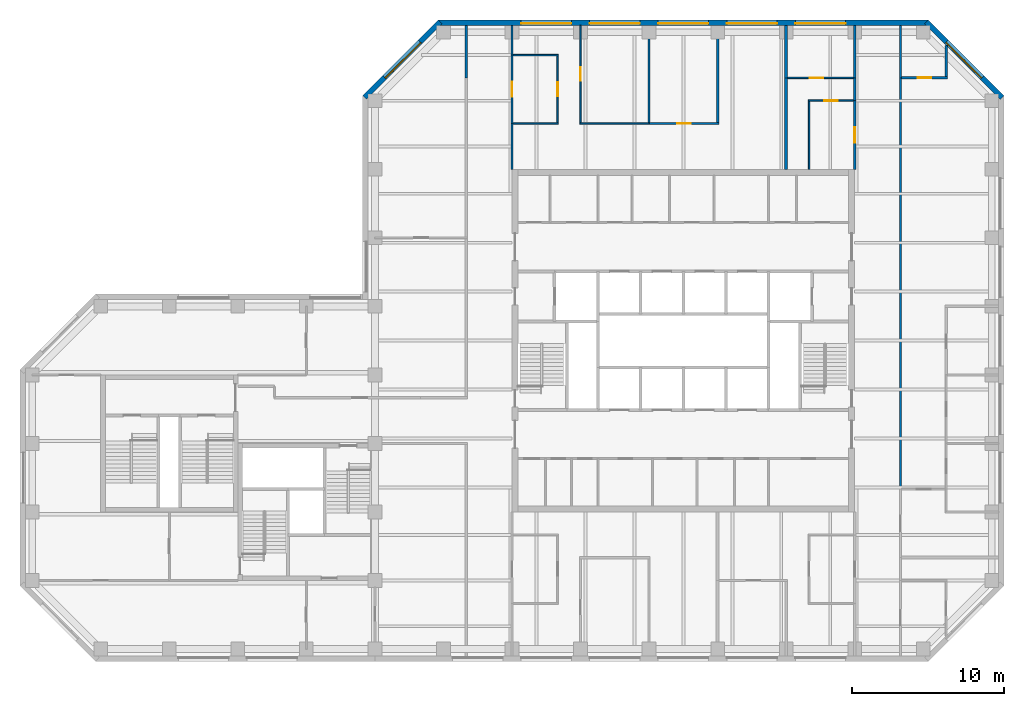
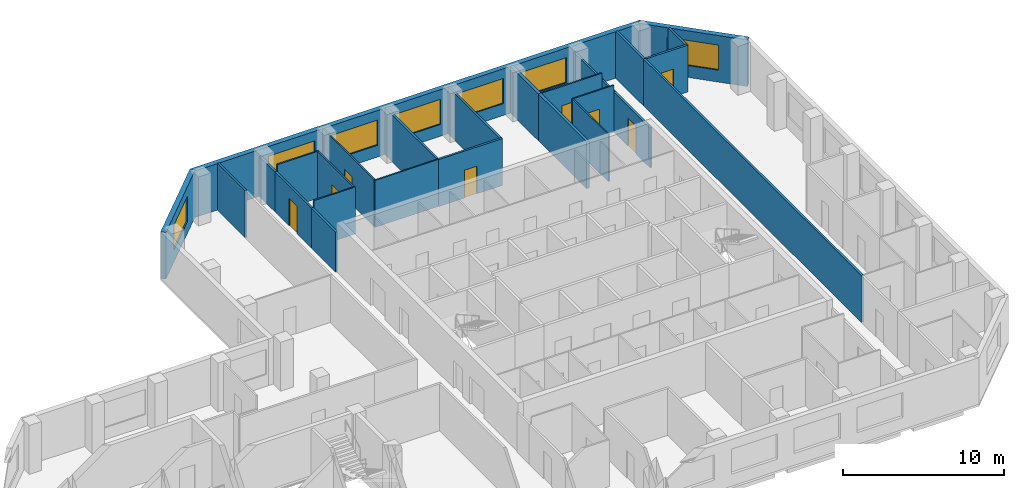
# One storey, part 7 of 9: 27 walls, 8 doors, 7 windows, 15 openings.
"""IFC4 building model written with IfcOpenShell, lengths in metres."""

from ifc_helpers import new_model, si_unit, direction, frame, frame_2d, origin, place, context, subcontext, project, spatial, rectangle, extrude, material, layer, layer_set, constituent, constituent_set, type_object, element, fill, save


model = new_model("IFC4")

# Units and contexts
model_context = context("Model", 3, precision=1e-05, world=origin(), true_north=direction((0.0, 1.0)))
body_context = subcontext(model_context, "Body", "Model", "MODEL_VIEW")
ifc_project = project(units=[si_unit("LENGTHUNIT", "METRE"), si_unit("AREAUNIT", "SQUARE_METRE"), si_unit("VOLUMEUNIT", "CUBIC_METRE"), si_unit("PLANEANGLEUNIT", "RADIAN"), si_unit("MASSUNIT", "GRAM", prefix="KILO")], contexts=[model_context])

# Site, building, storey
site_placement = place(None, origin())
site = spatial("IfcSite", under=ifc_project, at=site_placement, CompositionType="ELEMENT")
building_placement = place(site_placement, origin())
building = spatial("IfcBuilding", under=site, at=building_placement, Name="Quoin Convention Tower", CompositionType="ELEMENT")
storey_placement = place(building_placement, frame((0.0, 0.0, 166.199951171875)))
storey = spatial("IfcBuildingStorey", under=building, at=storey_placement, Name="L43", CompositionType="ELEMENT", Elevation=166.199951171875)

# Wall, opening, door
ifc_material_1 = material(Name="Plasterboard")
ifc_layer_1 = layer(ifc_material_1, 0.012451171875, Name="Finish")
ifc_material_2 = material(Name="Steel stud framing", Category="steel")
ifc_layer_2 = layer(ifc_material_2, 0.125, Name="Structure")
ifc_layer_3 = layer(ifc_material_1, 0.012451171875, Name="Finish")
ifc_layer_set_1 = layer_set([ifc_layer_1, ifc_layer_2, ifc_layer_3], Name="Steel stud framing")
wall_type_1 = type_object("IfcWallType", Name="Acoustic partition 150", PredefinedType="PARTITIONING", material=ifc_layer_set_1)
wall_1_placement = place(storey_placement, frame((54.0, 75.0, 0.0), z_axis=(0.0, 0.0, 1.0), x_axis=(1.0, 0.0, 0.0)))
wall_1 = element("IfcWall", 1, at=wall_1_placement, inside=storey, type_object=wall_type_1, Name="pw-L43-030", PredefinedType="PARTITIONING", context=body_context, shape_type="SweptSolid", body=[
    extrude(rectangle(XDim=4.574951171875, YDim=0.14990234375, at=frame_2d((2.28759765625, 0.0))), origin(), (0.0, 0.0, 1.0), 3.550048828125),
])
opening_1_placement = place(wall_1_placement, frame((1.85009765625, 0.0, 0.0)))
opening_1 = element("IfcOpeningElement", 2, at=opening_1_placement, cuts=wall_1, Name="Opening DOH3-04", PredefinedType="OPENING", context=body_context, shape_type="SweptSolid", body=[
    extrude(rectangle(XDim=0.89990234375, YDim=2.10009765625, at=frame_2d((0.449951171875, 1.050048828125))), frame((0.0, 0.0849609375, 0.0), z_axis=(0.0, -1.0, 0.0), x_axis=(1.0, 0.0, 0.0)), (0.0, 0.0, 1.0), 0.169921875),
])
ifc_material_3 = material(Name="Steel door leaf", Category="steel")
door_type_1 = type_object("IfcDoorType", Name="Office door 900 x 2100", OperationType="SINGLE_SWING_RIGHT", PredefinedType="DOOR", material=ifc_material_3)
door_1_placement = place(opening_1_placement, frame((0.89990234375, 0.0, 0.0), z_axis=(0.0, 0.0, 1.0), x_axis=(-1.0, 0.0, 0.0)))
door_1 = element("IfcDoor", 3, at=door_1_placement, inside=storey, type_object=door_type_1, Name="dr-L43-17", OperationType="SINGLE_SWING_LEFT", OverallHeight=2.10009765625, OverallWidth=0.89990234375, PredefinedType="DOOR", context=body_context, shape_type="SweptSolid", body=[
    extrude(rectangle(XDim=0.89990234375, YDim=2.10009765625, at=frame_2d((0.449951171875, 1.050048828125))), frame((0.0, 0.02490234375, 0.0), z_axis=(0.0, -1.0, 0.0), x_axis=(1.0, 0.0, 0.0)), (0.0, 0.0, 1.0), 0.050048828125),
])
fill(opening_1, door_1)

# Walls
for number, where, z_axis, x_axis, name in (
    (4, (54.0, 75.074951171875, 0.0), (0.0, 0.0, 1.0), (0.0, 1.0, 0.0), "pw-L43-083"),
    (5, (58.5, 75.074951171875, 0.0), (0.0, 0.0, 1.0), (0.0, 1.0, 0.0), "pw-L43-084"),
):
    element("IfcWall", number, at=place(storey_placement, frame(where, z_axis=z_axis, x_axis=x_axis)), inside=storey, type_object=wall_type_1, Name=name, PredefinedType="PARTITIONING", context=body_context, shape_type="SweptSolid", body=[
        extrude(rectangle(XDim=6.375, YDim=0.14990234375, at=frame_2d((3.1875, 0.0))), origin(), (0.0, 0.0, 1.0), 3.550048828125),
    ])

# Wall, opening, window
ifc_material_4 = material(Name="Brick masonry", Category="masonry")
ifc_layer_4 = layer(ifc_material_4, 0.35009765625)
ifc_layer_set_2 = layer_set([ifc_layer_4], Name="Brick masonry")
wall_type_2 = type_object("IfcWallType", Name="Brick facade wall", PredefinedType="STANDARD", material=ifc_layer_set_2)
wall_2_placement = place(storey_placement, frame((77.17626953125, 76.70751953125, 0.0), z_axis=(0.0, 0.0, 1.0), x_axis=(-0.707106781187, 0.707106781187, 0.0)))
wall_2 = element("IfcWall", 6, at=wall_2_placement, inside=storey, type_object=wall_type_2, Name="fw-L43-76500_76500", PredefinedType="STANDARD", context=body_context, shape_type="SweptSolid", body=[
    extrude(rectangle(XDim=7.02685546875, YDim=0.35009765625, at=frame_2d((3.513427734375, 0.0))), origin(), (0.0, 0.0, 1.0), 3.525146484375),
])
opening_2_placement = place(wall_2_placement, frame((1.86328125, 0.0, 0.89990234375)))
opening_2 = element("IfcOpeningElement", 7, at=opening_2_placement, cuts=wall_2, Name="Opening W-02", PredefinedType="OPENING", context=body_context, shape_type="SweptSolid", body=[
    extrude(rectangle(XDim=3.300048828125, YDim=1.89990234375, at=frame_2d((1.64990234375, 0.949951171875))), frame((0.0, 0.18505859375, 0.0), z_axis=(0.0, -1.0, 0.0), x_axis=(1.0, 0.0, 0.0)), (0.0, 0.0, 1.0), 0.3701171875),
])
ifc_material_5 = material(Name="Aluminium", Category="aluminium")
ifc_constituent_1 = constituent(ifc_material_5, Name="Frame")
ifc_material_6 = material(Name="Insulated glass", Category="glass")
ifc_constituent_2 = constituent(ifc_material_6, Name="Glazing")
ifc_constituent_set = constituent_set(constituents=[ifc_constituent_1, ifc_constituent_2], Name="Aluminium")
window_type = type_object("IfcWindowType", Name="Office window", PartitioningType="DOUBLE_PANEL_VERTICAL", PredefinedType="WINDOW", material=ifc_constituent_set)
window_1_placement = place(opening_2_placement, origin())
window_1 = element("IfcWindow", 8, at=window_1_placement, inside=storey, type_object=window_type, Name="win-L43-74692_79192", OverallHeight=1.89990234375, OverallWidth=3.300048828125, PartitioningType="SINGLE_PANEL", PredefinedType="WINDOW", context=body_context, shape_type="SweptSolid", body=[
    extrude(rectangle(XDim=3.300048828125, YDim=1.89990234375, at=frame_2d((1.64990234375, 0.949951171875))), frame((0.0, 0.0849609375, 0.0), z_axis=(0.0, -1.0, 0.0), x_axis=(1.0, 0.0, 0.0)), (0.0, 0.0, 1.0), 0.06005859375),
])
fill(opening_2, window_1)

# Wall, openings, windows
wall_3_placement = place(storey_placement, frame((72.331298828125, 81.625, 0.0), z_axis=(0.0, 0.0, 1.0), x_axis=(-1.0, 0.0, 0.0)))
wall_3 = element("IfcWall", 9, at=wall_3_placement, inside=storey, type_object=wall_type_2, Name="fw-L43-72000_81000", PredefinedType="STANDARD", context=body_context, shape_type="SweptSolid", body=[
    extrude(rectangle(XDim=32.16259765625, YDim=0.35009765625, at=frame_2d((16.081298828125, 0.0))), origin(), (0.0, 0.0, 1.0), 3.525146484375),
])
opening_3_placement = place(wall_3_placement, frame((5.431396484375, 0.0, 0.89990234375)))
opening_3 = element("IfcOpeningElement", 10, at=opening_3_placement, cuts=wall_3, Name="Opening W-02", PredefinedType="OPENING", context=body_context, shape_type="SweptSolid", body=[
    extrude(rectangle(XDim=3.300048828125, YDim=1.89990234375, at=frame_2d((1.64990234375, 0.949951171875))), frame((0.0, 0.18505859375, 0.0), z_axis=(0.0, -1.0, 0.0), x_axis=(1.0, 0.0, 0.0)), (0.0, 0.0, 1.0), 0.3701171875),
])
opening_4_placement = place(wall_3_placement, frame((9.931396484375, 0.0, 0.89990234375)))
opening_4 = element("IfcOpeningElement", 11, at=opening_4_placement, cuts=wall_3, Name="Opening W-02", PredefinedType="OPENING", context=body_context, shape_type="SweptSolid", body=[
    extrude(rectangle(XDim=3.300048828125, YDim=1.89990234375, at=frame_2d((1.64990234375, 0.949951171875))), frame((0.0, 0.18505859375, 0.0), z_axis=(0.0, -1.0, 0.0), x_axis=(1.0, 0.0, 0.0)), (0.0, 0.0, 1.0), 0.3701171875),
])
opening_5_placement = place(wall_3_placement, frame((14.431396484375, 0.0, 0.89990234375)))
opening_5 = element("IfcOpeningElement", 12, at=opening_5_placement, cuts=wall_3, Name="Opening W-02", PredefinedType="OPENING", context=body_context, shape_type="SweptSolid", body=[
    extrude(rectangle(XDim=3.300048828125, YDim=1.89990234375, at=frame_2d((1.64990234375, 0.949951171875))), frame((0.0, 0.18505859375, 0.0), z_axis=(0.0, -1.0, 0.0), x_axis=(1.0, 0.0, 0.0)), (0.0, 0.0, 1.0), 0.3701171875),
])
opening_6_placement = place(wall_3_placement, frame((18.931396484375, 0.0, 0.89990234375)))
opening_6 = element("IfcOpeningElement", 13, at=opening_6_placement, cuts=wall_3, Name="Opening W-02", PredefinedType="OPENING", context=body_context, shape_type="SweptSolid", body=[
    extrude(rectangle(XDim=3.300048828125, YDim=1.89990234375, at=frame_2d((1.64990234375, 0.949951171875))), frame((0.0, 0.18505859375, 0.0), z_axis=(0.0, -1.0, 0.0), x_axis=(1.0, 0.0, 0.0)), (0.0, 0.0, 1.0), 0.3701171875),
])
opening_7_placement = place(wall_3_placement, frame((23.431396484375, 0.0, 0.89990234375)))
opening_7 = element("IfcOpeningElement", 14, at=opening_7_placement, cuts=wall_3, Name="Opening W-02", PredefinedType="OPENING", context=body_context, shape_type="SweptSolid", body=[
    extrude(rectangle(XDim=3.300048828125, YDim=1.89990234375, at=frame_2d((1.64990234375, 0.949951171875))), frame((0.0, 0.18505859375, 0.0), z_axis=(0.0, -1.0, 0.0), x_axis=(1.0, 0.0, 0.0)), (0.0, 0.0, 1.0), 0.3701171875),
])
window_2_placement = place(opening_3_placement, origin())
window_2 = element("IfcWindow", 15, at=window_2_placement, inside=storey, type_object=window_type, Name="win-L43-65250_81625", OverallHeight=1.89990234375, OverallWidth=3.300048828125, PartitioningType="SINGLE_PANEL", PredefinedType="WINDOW", context=body_context, shape_type="SweptSolid", body=[
    extrude(rectangle(XDim=3.300048828125, YDim=1.89990234375, at=frame_2d((1.64990234375, 0.949951171875))), frame((0.0, 0.0849609375, 0.0), z_axis=(0.0, -1.0, 0.0), x_axis=(1.0, 0.0, 0.0)), (0.0, 0.0, 1.0), 0.06005859375),
])
fill(opening_3, window_2)
window_3_placement = place(opening_4_placement, origin())
window_3 = element("IfcWindow", 16, at=window_3_placement, inside=storey, type_object=window_type, Name="win-L43-60750_81625", OverallHeight=1.89990234375, OverallWidth=3.300048828125, PartitioningType="SINGLE_PANEL", PredefinedType="WINDOW", context=body_context, shape_type="SweptSolid", body=[
    extrude(rectangle(XDim=3.300048828125, YDim=1.89990234375, at=frame_2d((1.64990234375, 0.949951171875))), frame((0.0, 0.0849609375, 0.0), z_axis=(0.0, -1.0, 0.0), x_axis=(1.0, 0.0, 0.0)), (0.0, 0.0, 1.0), 0.06005859375),
])
fill(opening_4, window_3)
window_4_placement = place(opening_5_placement, origin())
window_4 = element("IfcWindow", 17, at=window_4_placement, inside=storey, type_object=window_type, Name="win-L43-56250_81625", OverallHeight=1.89990234375, OverallWidth=3.300048828125, PartitioningType="SINGLE_PANEL", PredefinedType="WINDOW", context=body_context, shape_type="SweptSolid", body=[
    extrude(rectangle(XDim=3.300048828125, YDim=1.89990234375, at=frame_2d((1.64990234375, 0.949951171875))), frame((0.0, 0.0849609375, 0.0), z_axis=(0.0, -1.0, 0.0), x_axis=(1.0, 0.0, 0.0)), (0.0, 0.0, 1.0), 0.06005859375),
])
fill(opening_5, window_4)
window_5_placement = place(opening_6_placement, origin())
window_5 = element("IfcWindow", 18, at=window_5_placement, inside=storey, type_object=window_type, Name="win-L43-51750_81625", OverallHeight=1.89990234375, OverallWidth=3.300048828125, PartitioningType="SINGLE_PANEL", PredefinedType="WINDOW", context=body_context, shape_type="SweptSolid", body=[
    extrude(rectangle(XDim=3.300048828125, YDim=1.89990234375, at=frame_2d((1.64990234375, 0.949951171875))), frame((0.0, 0.0849609375, 0.0), z_axis=(0.0, -1.0, 0.0), x_axis=(1.0, 0.0, 0.0)), (0.0, 0.0, 1.0), 0.06005859375),
])
fill(opening_6, window_5)
window_6_placement = place(opening_7_placement, origin())
window_6 = element("IfcWindow", 19, at=window_6_placement, inside=storey, type_object=window_type, Name="win-L43-47250_81625", OverallHeight=1.89990234375, OverallWidth=3.300048828125, PartitioningType="SINGLE_PANEL", PredefinedType="WINDOW", context=body_context, shape_type="SweptSolid", body=[
    extrude(rectangle(XDim=3.300048828125, YDim=1.89990234375, at=frame_2d((1.64990234375, 0.949951171875))), frame((0.0, 0.0849609375, 0.0), z_axis=(0.0, -1.0, 0.0), x_axis=(1.0, 0.0, 0.0)), (0.0, 0.0, 1.0), 0.06005859375),
])
fill(opening_7, window_6)

# Wall, opening, window
wall_4_placement = place(storey_placement, frame((40.29248046875, 81.67626953125, 0.0), z_axis=(0.0, 0.0, 1.0), x_axis=(-0.707106781187, -0.707106781187, 0.0)))
wall_4 = element("IfcWall", 20, at=wall_4_placement, inside=storey, type_object=wall_type_2, Name="fw-L43-40500_81000", PredefinedType="STANDARD", context=body_context, shape_type="SweptSolid", body=[
    extrude(rectangle(XDim=7.02685546875, YDim=0.35009765625, at=frame_2d((3.513427734375, 0.0))), origin(), (0.0, 0.0, 1.0), 3.525146484375),
])
opening_8_placement = place(wall_4_placement, frame((1.86328125, 0.0, 0.89990234375)))
opening_8 = element("IfcOpeningElement", 21, at=opening_8_placement, cuts=wall_4, Name="Opening W-02", PredefinedType="OPENING", context=body_context, shape_type="SweptSolid", body=[
    extrude(rectangle(XDim=3.300048828125, YDim=1.89990234375, at=frame_2d((1.64990234375, 0.949951171875))), frame((0.0, 0.18505859375, 0.0), z_axis=(0.0, -1.0, 0.0), x_axis=(1.0, 0.0, 0.0)), (0.0, 0.0, 1.0), 0.3701171875),
])
window_7_placement = place(opening_8_placement, origin())
window_7 = element("IfcWindow", 22, at=window_7_placement, inside=storey, type_object=window_type, Name="win-L43-37808_79192", OverallHeight=1.89990234375, OverallWidth=3.300048828125, PartitioningType="SINGLE_PANEL", PredefinedType="WINDOW", context=body_context, shape_type="SweptSolid", body=[
    extrude(rectangle(XDim=3.300048828125, YDim=1.89990234375, at=frame_2d((1.64990234375, 0.949951171875))), frame((0.0, 0.0849609375, 0.0), z_axis=(0.0, -1.0, 0.0), x_axis=(1.0, 0.0, 0.0)), (0.0, 0.0, 1.0), 0.06005859375),
])
fill(opening_8, window_7)

# Walls
ifc_layer_5 = layer(ifc_material_1, 0.012451171875, Name="Finish")
ifc_layer_6 = layer(ifc_material_2, 0.125, Name="Structure")
ifc_layer_7 = layer(ifc_material_1, 0.012451171875, Name="Finish")
ifc_layer_set_3 = layer_set([ifc_layer_5, ifc_layer_6, ifc_layer_7], Name="Steel stud framing")
wall_type_3 = type_object("IfcWallType", Name="Corridor wall 150", PredefinedType="PARTITIONING", material=ifc_layer_set_3)
wall_5_placement = place(storey_placement, frame((70.5, 51.0, 0.0), z_axis=(0.0, 0.0, 1.0), x_axis=(0.0, 1.0, 0.0)))
element("IfcWall", 23, at=wall_5_placement, inside=storey, type_object=wall_type_3, Name="pw-L43-063", PredefinedType="PARTITIONING", context=body_context, shape_type="SweptSolid", body=[
    extrude(rectangle(XDim=27.0, YDim=0.14990234375, at=frame_2d((13.5, 0.0))), origin(), (0.0, 0.0, 1.0), 3.550048828125),
])
for number, where, z_axis, x_axis, name in (
    (24, (42.0, 78.0, 0.0), (0.0, 0.0, 1.0), (0.0, 1.0, 0.0), "pw-L43-086"),
    (25, (70.5, 78.0, 0.0), (0.0, 0.0, 1.0), (0.0, 1.0, 0.0), "pw-L43-089"),
):
    element("IfcWall", number, at=place(storey_placement, frame(where, z_axis=z_axis, x_axis=x_axis)), inside=storey, type_object=wall_type_3, Name=name, PredefinedType="PARTITIONING", context=body_context, shape_type="SweptSolid", body=[
        extrude(rectangle(XDim=3.449951171875, YDim=0.14990234375, at=frame_2d((1.72509765625, 0.0))), origin(), (0.0, 0.0, 1.0), 3.550048828125),
    ])
ifc_layer_8 = layer(ifc_material_1, 0.012451171875, Name="Finish")
ifc_layer_9 = layer(ifc_material_2, 0.125, Name="Structure")
ifc_layer_10 = layer(ifc_material_1, 0.012451171875, Name="Finish")
ifc_layer_set_4 = layer_set([ifc_layer_8, ifc_layer_9, ifc_layer_10], Name="Steel stud framing")
wall_type_4 = type_object("IfcWallType", Name="Corridor wall 150 under beam 528", PredefinedType="PARTITIONING", material=ifc_layer_set_4)
wall_6_placement = place(storey_placement, frame((45.0, 72.0, 0.0), z_axis=(0.0, 0.0, 1.0), x_axis=(0.0, 1.0, 0.0)))
element("IfcWall", 26, at=wall_6_placement, inside=storey, type_object=wall_type_4, Name="pw-L43-076", PredefinedType="PARTITIONING", context=body_context, shape_type="SweptSolid", body=[
    extrude(rectangle(XDim=3.0, YDim=0.14990234375, at=frame_2d((1.5, 0.0))), origin(), (0.0, 0.0, 1.0), 3.02197265625),
])

# Wall, opening, door
wall_7_placement = place(storey_placement, frame((67.5, 72.0, 0.0), z_axis=(0.0, 0.0, 1.0), x_axis=(0.0, 1.0, 0.0)))
wall_7 = element("IfcWall", 27, at=wall_7_placement, inside=storey, type_object=wall_type_4, Name="pw-L43-079", PredefinedType="PARTITIONING", context=body_context, shape_type="SweptSolid", body=[
    extrude(rectangle(XDim=4.5, YDim=0.14990234375, at=frame_2d((2.25, 0.0))), origin(), (0.0, 0.0, 1.0), 3.02197265625),
])
opening_9_placement = place(wall_7_placement, frame((1.75, 0.0, 0.0)))
opening_9 = element("IfcOpeningElement", 28, at=opening_9_placement, cuts=wall_7, Name="Opening DOH3-20", PredefinedType="OPENING", context=body_context, shape_type="SweptSolid", body=[
    extrude(rectangle(XDim=1.0, YDim=2.10009765625, at=frame_2d((0.5, 1.050048828125))), frame((0.0, 0.0849609375, 0.0), z_axis=(0.0, -1.0, 0.0), x_axis=(1.0, 0.0, 0.0)), (0.0, 0.0, 1.0), 0.169921875),
])
door_type_2 = type_object("IfcDoorType", Name="Tenancy entrance door 1000 x 2100", OperationType="DOUBLE_DOOR_SINGLE_SWING", PredefinedType="DOOR", material=ifc_material_3)
door_2_placement = place(opening_9_placement, origin())
door_2 = element("IfcDoor", 29, at=door_2_placement, inside=storey, type_object=door_type_2, Name="dr-L43-18", OperationType="DOUBLE_DOOR_SINGLE_SWING", OverallHeight=2.10009765625, OverallWidth=1.0, PredefinedType="DOOR", context=body_context, shape_type="SweptSolid", body=[
    extrude(rectangle(XDim=1.0, YDim=2.10009765625, at=frame_2d((0.5, 1.050048828125))), frame((0.0, 0.02490234375, 0.0), z_axis=(0.0, -1.0, 0.0), x_axis=(1.0, 0.0, 0.0)), (0.0, 0.0, 1.0), 0.050048828125),
])
fill(opening_9, door_2)

wall_8_placement = place(storey_placement, frame((45.0, 75.0, 0.0), z_axis=(0.0, 0.0, 1.0), x_axis=(0.0, 1.0, 0.0)))
wall_8 = element("IfcWall", 30, at=wall_8_placement, inside=storey, type_object=wall_type_4, Name="pw-L43-080", PredefinedType="PARTITIONING", context=body_context, shape_type="SweptSolid", body=[
    extrude(rectangle(XDim=4.5, YDim=0.14990234375, at=frame_2d((2.25, 0.0))), origin(), (0.0, 0.0, 1.0), 3.02197265625),
])
opening_10_placement = place(wall_8_placement, frame((1.75, 0.0, 0.0)))
opening_10 = element("IfcOpeningElement", 31, at=opening_10_placement, cuts=wall_8, Name="Opening DOH3-21", PredefinedType="OPENING", context=body_context, shape_type="SweptSolid", body=[
    extrude(rectangle(XDim=1.0, YDim=2.10009765625, at=frame_2d((0.5, 1.050048828125))), frame((0.0, 0.0849609375, 0.0), z_axis=(0.0, -1.0, 0.0), x_axis=(1.0, 0.0, 0.0)), (0.0, 0.0, 1.0), 0.169921875),
])
door_3_placement = place(opening_10_placement, frame((1.0, 0.0, 0.0), z_axis=(0.0, 0.0, 1.0), x_axis=(-1.0, 0.0, 0.0)))
door_3 = element("IfcDoor", 32, at=door_3_placement, inside=storey, type_object=door_type_2, Name="dr-L43-14", OperationType="DOUBLE_DOOR_SINGLE_SWING", OverallHeight=2.10009765625, OverallWidth=1.0, PredefinedType="DOOR", context=body_context, shape_type="SweptSolid", body=[
    extrude(rectangle(XDim=1.0, YDim=2.10009765625, at=frame_2d((0.5, 1.050048828125))), frame((0.0, 0.02490234375, 0.0), z_axis=(0.0, -1.0, 0.0), x_axis=(1.0, 0.0, 0.0)), (0.0, 0.0, 1.0), 0.050048828125),
])
fill(opening_10, door_3)

# Walls
wall_9_placement = place(storey_placement, frame((67.5, 76.5, 0.0), z_axis=(0.0, 0.0, 1.0), x_axis=(0.0, 1.0, 0.0)))
element("IfcWall", 33, at=wall_9_placement, inside=storey, type_object=wall_type_4, Name="pw-L43-085", PredefinedType="PARTITIONING", context=body_context, shape_type="SweptSolid", body=[
    extrude(rectangle(XDim=1.5, YDim=0.14990234375, at=frame_2d((0.75, 0.0))), origin(), (0.0, 0.0, 1.0), 3.02197265625),
])
wall_10_placement = place(storey_placement, frame((67.5, 78.0, 0.0), z_axis=(0.0, 0.0, 1.0), x_axis=(0.0, 1.0, 0.0)))
element("IfcWall", 34, at=wall_10_placement, inside=storey, type_object=wall_type_4, Name="pw-L43-088", PredefinedType="PARTITIONING", context=body_context, shape_type="SweptSolid", body=[
    extrude(rectangle(XDim=3.449951171875, YDim=0.14990234375, at=frame_2d((1.72509765625, 0.0))), origin(), (0.0, 0.0, 1.0), 3.02197265625),
])
wall_11_placement = place(storey_placement, frame((45.0, 79.5, 0.0), z_axis=(0.0, 0.0, 1.0), x_axis=(0.0, 1.0, 0.0)))
element("IfcWall", 35, at=wall_11_placement, inside=storey, type_object=wall_type_4, Name="pw-L43-092", PredefinedType="PARTITIONING", context=body_context, shape_type="SweptSolid", body=[
    extrude(rectangle(XDim=1.949951171875, YDim=0.14990234375, at=frame_2d((0.97509765625, 0.0))), origin(), (0.0, 0.0, 1.0), 3.02197265625),
])
ifc_layer_11 = layer(ifc_material_1, 0.012451171875, Name="Finish")
ifc_layer_12 = layer(ifc_material_2, 0.074951171875, Name="Structure")
ifc_layer_13 = layer(ifc_material_1, 0.012451171875, Name="Finish")
ifc_layer_set_5 = layer_set([ifc_layer_11, ifc_layer_12, ifc_layer_13], Name="Steel stud framing")
wall_type_5 = type_object("IfcWallType", Name="Stud partition 100", PredefinedType="PARTITIONING", material=ifc_layer_set_5)
wall_12_placement = place(storey_placement, frame((45.074951171875, 75.0, 0.0), z_axis=(0.0, 0.0, 1.0), x_axis=(1.0, 0.0, 0.0)))
element("IfcWall", 36, at=wall_12_placement, inside=storey, type_object=wall_type_5, Name="pw-L43-028", PredefinedType="PARTITIONING", context=body_context, shape_type="SweptSolid", body=[
    extrude(rectangle(XDim=2.97509765625, YDim=0.10009765625, at=frame_2d((1.487548828125, 0.0))), origin(), (0.0, 0.0, 1.0), 3.550048828125),
])
wall_13_placement = place(storey_placement, frame((49.449951171875, 75.0, 0.0), z_axis=(0.0, 0.0, 1.0), x_axis=(1.0, 0.0, 0.0)))
element("IfcWall", 37, at=wall_13_placement, inside=storey, type_object=wall_type_5, Name="pw-L43-029", PredefinedType="PARTITIONING", context=body_context, shape_type="SweptSolid", body=[
    extrude(rectangle(XDim=4.550048828125, YDim=0.10009765625, at=frame_2d((2.27490234375, 0.0))), origin(), (0.0, 0.0, 1.0), 3.550048828125),
])

# Wall, opening, door
wall_14_placement = place(storey_placement, frame((64.449951171875, 76.5, 0.0), z_axis=(0.0, 0.0, 1.0), x_axis=(1.0, 0.0, 0.0)))
wall_14 = element("IfcWall", 38, at=wall_14_placement, inside=storey, type_object=wall_type_5, Name="pw-L43-031", PredefinedType="PARTITIONING", context=body_context, shape_type="SweptSolid", body=[
    extrude(rectangle(XDim=2.97509765625, YDim=0.10009765625, at=frame_2d((1.487548828125, 0.0))), origin(), (0.0, 0.0, 1.0), 3.550048828125),
])
opening_11_placement = place(wall_14_placement, frame((1.050048828125, 0.0, 0.0)))
opening_11 = element("IfcOpeningElement", 39, at=opening_11_placement, cuts=wall_14, Name="Opening DOH3-05", PredefinedType="OPENING", context=body_context, shape_type="SweptSolid", body=[
    extrude(rectangle(XDim=0.89990234375, YDim=2.10009765625, at=frame_2d((0.449951171875, 1.050048828125))), frame((0.0, 0.06005859375, 0.0), z_axis=(0.0, -1.0, 0.0), x_axis=(1.0, 0.0, 0.0)), (0.0, 0.0, 1.0), 0.1201171875),
])
door_4_placement = place(opening_11_placement, frame((0.89990234375, 0.0, 0.0), z_axis=(0.0, 0.0, 1.0), x_axis=(-1.0, 0.0, 0.0)))
door_4 = element("IfcDoor", 40, at=door_4_placement, inside=storey, type_object=door_type_1, Name="dr-L43-19", OperationType="SINGLE_SWING_RIGHT", OverallHeight=2.10009765625, OverallWidth=0.89990234375, PredefinedType="DOOR", context=body_context, shape_type="SweptSolid", body=[
    extrude(rectangle(XDim=0.89990234375, YDim=2.10009765625, at=frame_2d((0.449951171875, 1.050048828125))), frame((0.0, 0.02490234375, 0.0), z_axis=(0.0, -1.0, 0.0), x_axis=(1.0, 0.0, 0.0)), (0.0, 0.0, 1.0), 0.050048828125),
])
fill(opening_11, door_4)

wall_15_placement = place(storey_placement, frame((63.10009765625, 78.0, 0.0), z_axis=(0.0, 0.0, 1.0), x_axis=(1.0, 0.0, 0.0)))
wall_15 = element("IfcWall", 41, at=wall_15_placement, inside=storey, type_object=wall_type_5, Name="pw-L43-033", PredefinedType="PARTITIONING", context=body_context, shape_type="SweptSolid", body=[
    extrude(rectangle(XDim=4.324951171875, YDim=0.10009765625, at=frame_2d((2.16259765625, 0.0))), origin(), (0.0, 0.0, 1.0), 3.550048828125),
])
opening_12_placement = place(wall_15_placement, frame((1.449951171875, 0.0, 0.0)))
opening_12 = element("IfcOpeningElement", 42, at=opening_12_placement, cuts=wall_15, Name="Opening DOH3-06", PredefinedType="OPENING", context=body_context, shape_type="SweptSolid", body=[
    extrude(rectangle(XDim=0.89990234375, YDim=2.10009765625, at=frame_2d((0.449951171875, 1.050048828125))), frame((0.0, 0.06005859375, 0.0), z_axis=(0.0, -1.0, 0.0), x_axis=(1.0, 0.0, 0.0)), (0.0, 0.0, 1.0), 0.1201171875),
])
door_5_placement = place(opening_12_placement, origin())
door_5 = element("IfcDoor", 43, at=door_5_placement, inside=storey, type_object=door_type_1, Name="dr-L43-20", OperationType="SINGLE_SWING_LEFT", OverallHeight=2.10009765625, OverallWidth=0.89990234375, PredefinedType="DOOR", context=body_context, shape_type="SweptSolid", body=[
    extrude(rectangle(XDim=0.89990234375, YDim=2.10009765625, at=frame_2d((0.449951171875, 1.050048828125))), frame((0.0, 0.02490234375, 0.0), z_axis=(0.0, -1.0, 0.0), x_axis=(1.0, 0.0, 0.0)), (0.0, 0.0, 1.0), 0.050048828125),
])
fill(opening_12, door_5)

# Walls
wall_16_placement = place(storey_placement, frame((45.074951171875, 79.5, 0.0), z_axis=(0.0, 0.0, 1.0), x_axis=(1.0, 0.0, 0.0)))
element("IfcWall", 44, at=wall_16_placement, inside=storey, type_object=wall_type_5, Name="pw-L43-035", PredefinedType="PARTITIONING", context=body_context, shape_type="SweptSolid", body=[
    extrude(rectangle(XDim=2.97509765625, YDim=0.10009765625, at=frame_2d((1.487548828125, 0.0))), origin(), (0.0, 0.0, 1.0), 3.550048828125),
])
wall_17_placement = place(storey_placement, frame((64.5, 72.0, 0.0), z_axis=(0.0, 0.0, 1.0), x_axis=(0.0, 1.0, 0.0)))
element("IfcWall", 45, at=wall_17_placement, inside=storey, type_object=wall_type_5, Name="pw-L43-078", PredefinedType="PARTITIONING", context=body_context, shape_type="SweptSolid", body=[
    extrude(rectangle(XDim=4.449951171875, YDim=0.10009765625, at=frame_2d((2.22509765625, 0.0))), origin(), (0.0, 0.0, 1.0), 3.550048828125),
])

# Wall, opening, door
wall_18_placement = place(storey_placement, frame((48.0, 75.050048828125, 0.0), z_axis=(0.0, 0.0, 1.0), x_axis=(0.0, 1.0, 0.0)))
wall_18 = element("IfcWall", 46, at=wall_18_placement, inside=storey, type_object=wall_type_5, Name="pw-L43-081", PredefinedType="PARTITIONING", context=body_context, shape_type="SweptSolid", body=[
    extrude(rectangle(XDim=4.39990234375, YDim=0.10009765625, at=frame_2d((2.199951171875, 0.0))), origin(), (0.0, 0.0, 1.0), 3.550048828125),
])
opening_13_placement = place(wall_18_placement, frame((1.75, 0.0, 0.0)))
opening_13 = element("IfcOpeningElement", 47, at=opening_13_placement, cuts=wall_18, Name="Opening DOH3-22", PredefinedType="OPENING", context=body_context, shape_type="SweptSolid", body=[
    extrude(rectangle(XDim=0.89990234375, YDim=2.10009765625, at=frame_2d((0.449951171875, 1.050048828125))), frame((0.0, 0.06005859375, 0.0), z_axis=(0.0, -1.0, 0.0), x_axis=(1.0, 0.0, 0.0)), (0.0, 0.0, 1.0), 0.1201171875),
])
door_6_placement = place(opening_13_placement, frame((0.89990234375, 0.0, 0.0), z_axis=(0.0, 0.0, 1.0), x_axis=(-1.0, 0.0, 0.0)))
door_6 = element("IfcDoor", 48, at=door_6_placement, inside=storey, type_object=door_type_1, Name="dr-L43-15", OperationType="SINGLE_SWING_LEFT", OverallHeight=2.10009765625, OverallWidth=0.89990234375, PredefinedType="DOOR", context=body_context, shape_type="SweptSolid", body=[
    extrude(rectangle(XDim=0.89990234375, YDim=2.10009765625, at=frame_2d((0.449951171875, 1.050048828125))), frame((0.0, 0.02490234375, 0.0), z_axis=(0.0, -1.0, 0.0), x_axis=(1.0, 0.0, 0.0)), (0.0, 0.0, 1.0), 0.050048828125),
])
fill(opening_13, door_6)

wall_19_placement = place(storey_placement, frame((49.5, 75.050048828125, 0.0), z_axis=(0.0, 0.0, 1.0), x_axis=(0.0, 1.0, 0.0)))
wall_19 = element("IfcWall", 49, at=wall_19_placement, inside=storey, type_object=wall_type_5, Name="pw-L43-082", PredefinedType="PARTITIONING", context=body_context, shape_type="SweptSolid", body=[
    extrude(rectangle(XDim=6.39990234375, YDim=0.10009765625, at=frame_2d((3.199951171875, 0.0))), origin(), (0.0, 0.0, 1.0), 3.550048828125),
])
opening_14_placement = place(wall_19_placement, frame((2.75, 0.0, 0.0)))
opening_14 = element("IfcOpeningElement", 50, at=opening_14_placement, cuts=wall_19, Name="Opening DOH3-23", PredefinedType="OPENING", context=body_context, shape_type="SweptSolid", body=[
    extrude(rectangle(XDim=0.89990234375, YDim=2.10009765625, at=frame_2d((0.449951171875, 1.050048828125))), frame((0.0, 0.06005859375, 0.0), z_axis=(0.0, -1.0, 0.0), x_axis=(1.0, 0.0, 0.0)), (0.0, 0.0, 1.0), 0.1201171875),
])
door_7_placement = place(opening_14_placement, origin())
door_7 = element("IfcDoor", 51, at=door_7_placement, inside=storey, type_object=door_type_1, Name="dr-L43-16", OperationType="SINGLE_SWING_RIGHT", OverallHeight=2.10009765625, OverallWidth=0.89990234375, PredefinedType="DOOR", context=body_context, shape_type="SweptSolid", body=[
    extrude(rectangle(XDim=0.89990234375, YDim=2.10009765625, at=frame_2d((0.449951171875, 1.050048828125))), frame((0.0, 0.02490234375, 0.0), z_axis=(0.0, -1.0, 0.0), x_axis=(1.0, 0.0, 0.0)), (0.0, 0.0, 1.0), 0.050048828125),
])
fill(opening_14, door_7)

# Walls
ifc_layer_14 = layer(ifc_material_1, 0.012451171875, Name="Finish")
ifc_layer_15 = layer(ifc_material_2, 0.175048828125, Name="Structure")
ifc_layer_16 = layer(ifc_material_1, 0.012451171875, Name="Finish")
ifc_layer_set_6 = layer_set([ifc_layer_14, ifc_layer_15, ifc_layer_16], Name="Steel stud framing")
wall_type_6 = type_object("IfcWallType", Name="Tenancy demising wall 200", PredefinedType="PARTITIONING", material=ifc_layer_set_6)
wall_20_placement = place(storey_placement, frame((63.0, 72.0, 0.0), z_axis=(0.0, 0.0, 1.0), x_axis=(0.0, 1.0, 0.0)))
element("IfcWall", 52, at=wall_20_placement, inside=storey, type_object=wall_type_6, Name="pw-L43-077", PredefinedType="PARTITIONING", context=body_context, shape_type="SweptSolid", body=[
    extrude(rectangle(XDim=6.0, YDim=0.199951171875, at=frame_2d((3.0, 0.0))), origin(), (0.0, 0.0, 1.0), 3.550048828125),
])
wall_21_placement = place(storey_placement, frame((63.0, 78.0, 0.0), z_axis=(0.0, 0.0, 1.0), x_axis=(0.0, 1.0, 0.0)))
element("IfcWall", 53, at=wall_21_placement, inside=storey, type_object=wall_type_6, Name="pw-L43-087", PredefinedType="PARTITIONING", context=body_context, shape_type="SweptSolid", body=[
    extrude(rectangle(XDim=3.449951171875, YDim=0.199951171875, at=frame_2d((1.72509765625, 0.0))), origin(), (0.0, 0.0, 1.0), 3.550048828125),
])

# Wall, opening, door
ifc_layer_17 = layer(ifc_material_1, 0.012451171875, Name="Finish")
ifc_layer_18 = layer(ifc_material_2, 0.125, Name="Structure")
ifc_layer_19 = layer(ifc_material_1, 0.012451171875, Name="Finish")
ifc_layer_set_7 = layer_set([ifc_layer_17, ifc_layer_18, ifc_layer_19], Name="Steel stud framing")
wall_type_7 = type_object("IfcWallType", Name="Wet area partition 150", PredefinedType="PARTITIONING", material=ifc_layer_set_7)
wall_22_placement = place(storey_placement, frame((70.574951171875, 78.0, 0.0), z_axis=(0.0, 0.0, 1.0), x_axis=(1.0, 0.0, 0.0)))
wall_22 = element("IfcWall", 54, at=wall_22_placement, inside=storey, type_object=wall_type_7, Name="pw-L43-034", PredefinedType="PARTITIONING", context=body_context, shape_type="SweptSolid", body=[
    extrude(rectangle(XDim=3.0, YDim=0.14990234375, at=frame_2d((1.5, 0.0))), origin(), (0.0, 0.0, 1.0), 3.550048828125),
])
opening_15_placement = place(wall_22_placement, frame((1.050048828125, 0.0, 0.0)))
opening_15 = element("IfcOpeningElement", 55, at=opening_15_placement, cuts=wall_22, Name="Opening DOH3-07", PredefinedType="OPENING", context=body_context, shape_type="SweptSolid", body=[
    extrude(rectangle(XDim=0.89990234375, YDim=2.10009765625, at=frame_2d((0.449951171875, 1.050048828125))), frame((0.0, 0.0849609375, 0.0), z_axis=(0.0, -1.0, 0.0), x_axis=(1.0, 0.0, 0.0)), (0.0, 0.0, 1.0), 0.169921875),
])
door_8_placement = place(opening_15_placement, frame((0.89990234375, 0.0, 0.0), z_axis=(0.0, 0.0, 1.0), x_axis=(-1.0, 0.0, 0.0)))
door_8 = element("IfcDoor", 56, at=door_8_placement, inside=storey, type_object=door_type_1, Name="dr-L43-27", OperationType="SINGLE_SWING_LEFT", OverallHeight=2.10009765625, OverallWidth=0.89990234375, PredefinedType="DOOR", context=body_context, shape_type="SweptSolid", body=[
    extrude(rectangle(XDim=0.89990234375, YDim=2.10009765625, at=frame_2d((0.449951171875, 1.050048828125))), frame((0.0, 0.02490234375, 0.0), z_axis=(0.0, -1.0, 0.0), x_axis=(1.0, 0.0, 0.0)), (0.0, 0.0, 1.0), 0.050048828125),
])
fill(opening_15, door_8)

# Wall
wall_23_placement = place(storey_placement, frame((73.5, 78.074951171875, 0.0), z_axis=(0.0, 0.0, 1.0), x_axis=(0.0, 1.0, 0.0)))
element("IfcWall", 57, at=wall_23_placement, inside=storey, type_object=wall_type_7, Name="pw-L43-091", PredefinedType="PARTITIONING", context=body_context, shape_type="SweptSolid", body=[
    extrude(rectangle(XDim=2.0615234375, YDim=0.14990234375, at=frame_2d((1.03076171875, 0.0))), origin(), (0.0, 0.0, 1.0), 3.550048828125),
])

save(model, "model.ifc")
